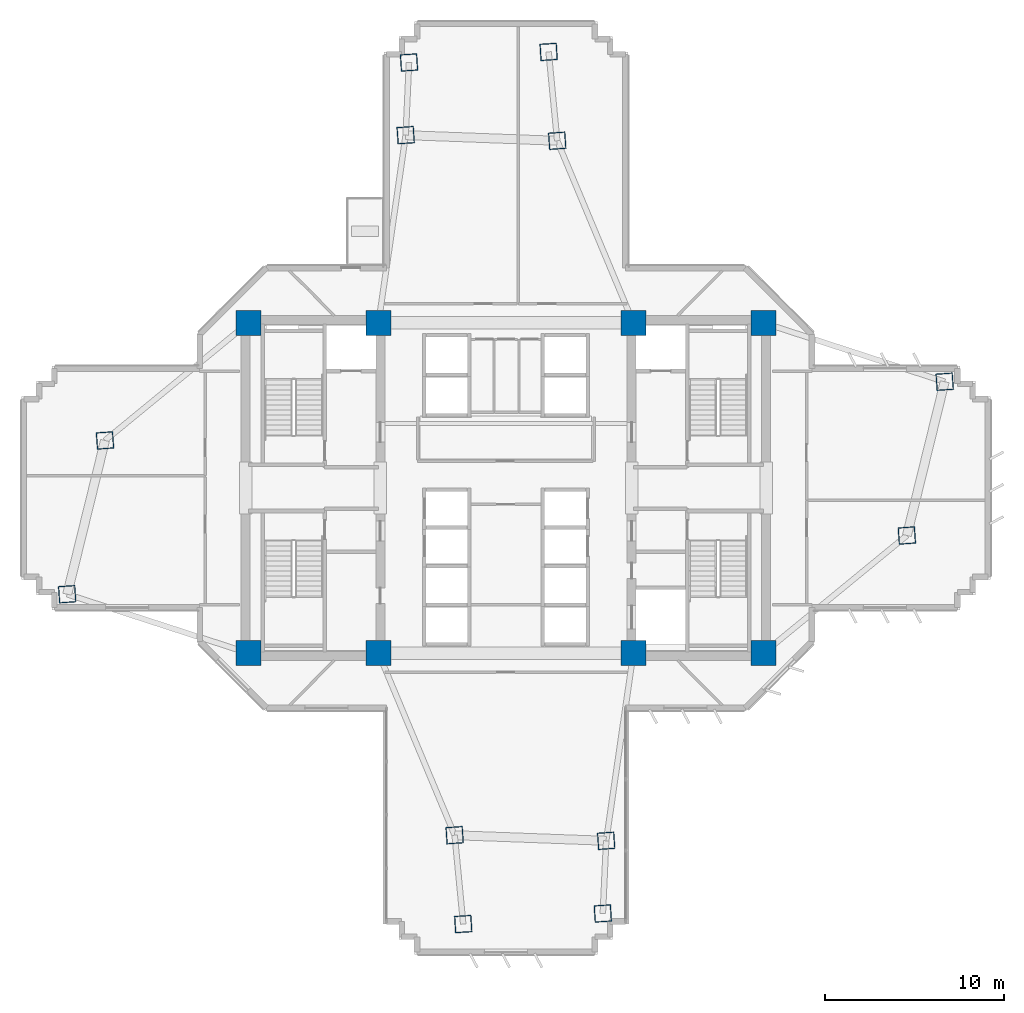
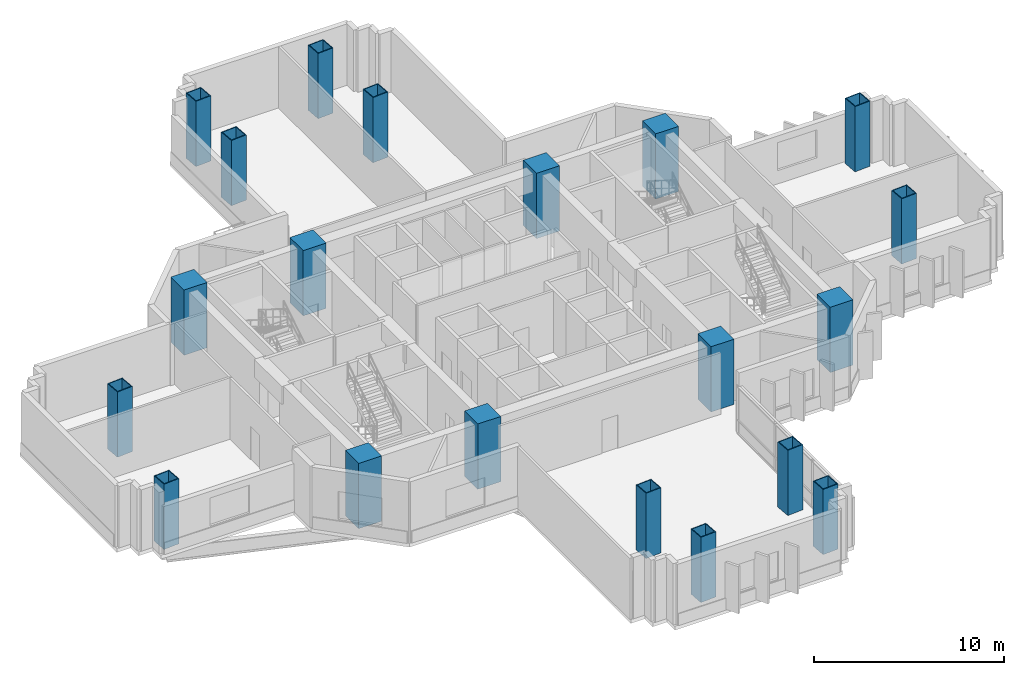
# One storey, part 1 of 14: 20 columns.
"""IFC4 building model written with IfcOpenShell, lengths in metres."""

from ifc_helpers import new_model, si_unit, direction, frame, origin, origin_2d, place, context, subcontext, project, spatial, rectangle, hollow_rectangle, extrude, source, transform, mapped, material, material_profile, profile_set, type_object, element, save


model = new_model("IFC4")

# Units and contexts
model_context = context("Model", 3, precision=1e-05, world=origin(), true_north=direction((0.0, 1.0)))
body_context = subcontext(model_context, "Body", "Model", "MODEL_VIEW")
ifc_project = project(units=[si_unit("LENGTHUNIT", "METRE"), si_unit("AREAUNIT", "SQUARE_METRE"), si_unit("VOLUMEUNIT", "CUBIC_METRE"), si_unit("PLANEANGLEUNIT", "RADIAN"), si_unit("MASSUNIT", "GRAM", prefix="KILO")], contexts=[model_context])

# Site, building, storey
site_placement = place(None, origin())
site = spatial("IfcSite", under=ifc_project, at=site_placement, CompositionType="ELEMENT")
building_placement = place(site_placement, origin())
building = spatial("IfcBuilding", under=site, at=building_placement, Name="Zahravan Cultural Tower", CompositionType="ELEMENT")
storey_placement = place(building_placement, frame((0.0, 0.0, 37.5)))
storey = spatial("IfcBuildingStorey", under=building, at=storey_placement, Name="L07", CompositionType="ELEMENT", Elevation=37.5)

# Columns
ifc_material_1 = material(Name="Concrete C60/75", Category="concrete")
ifc_material_profile_1 = material_profile(ifc_material_1, rectangle(XDim=1.39990234375, YDim=1.39990234375, at=origin_2d()), Name="RC1400X1400")
ifc_profile_set_1 = profile_set([ifc_material_profile_1], Name="Concrete C60/75")
column_type_1 = type_object("IfcColumnType", Name="COL-RC1400", PredefinedType="COLUMN", material=ifc_profile_set_1)
shared_shape_1 = source(origin(), body_context, "Body", "SweptSolid", [
    extrude(rectangle(XDim=1.39990234375, YDim=1.39990234375, at=origin_2d()), origin(), (0.0, 0.0, 1.0), 4.199951171875),
])
for number, where, z_axis, x_axis, name in (
    (1, (21.64990234375, 17.800048828125, 0.0), (0.0, 0.0, 1.0), (1.0, 0.0, 0.0), "L07 Column CC-W1"),
    (2, (28.89990234375, 17.800048828125, 0.0), (0.0, 0.0, 1.0), (1.0, 0.0, 0.0), "L07 Column CC-W2"),
    (3, (21.64990234375, 36.199951171875, 0.0), (0.0, 0.0, 1.0), (1.0, 0.0, 0.0), "L07 Column CC-W3"),
    (4, (28.89990234375, 36.199951171875, 0.0), (0.0, 0.0, 1.0), (1.0, 0.0, 0.0), "L07 Column CC-W4"),
    (5, (43.10009765625, 17.800048828125, 0.0), (0.0, 0.0, 1.0), (1.0, 0.0, 0.0), "L07 Column CC-E1"),
    (6, (50.35009765625, 17.800048828125, 0.0), (0.0, 0.0, 1.0), (1.0, 0.0, 0.0), "L07 Column CC-E2"),
    (7, (43.10009765625, 36.199951171875, 0.0), (0.0, 0.0, 1.0), (1.0, 0.0, 0.0), "L07 Column CC-E3"),
    (8, (50.35009765625, 36.199951171875, 0.0), (0.0, 0.0, 1.0), (1.0, 0.0, 0.0), "L07 Column CC-E4"),
):
    element("IfcColumn", number, at=place(storey_placement, frame(where, z_axis=z_axis, x_axis=x_axis)), inside=storey, type_object=column_type_1, Name=name, PredefinedType="COLUMN", context=body_context, shape_type="MappedRepresentation", body=[
        mapped(shared_shape_1, transform((0.0, 0.0, 0.0), x_axis=(1.0, 0.0, 0.0), y_axis=(0.0, 1.0, 0.0), z_axis=(0.0, 0.0, 1.0), scale=1.0)),
    ])
ifc_material_2 = material(Name="Steel ASTM A572 Grade 50", Category="steel")
ifc_material_profile_2 = material_profile(ifc_material_2, hollow_rectangle(XDim=0.949951171875, YDim=0.949951171875, WallThickness=0.050048828125, at=origin_2d()), Name="BOX950X950X50")
ifc_profile_set_2 = profile_set([ifc_material_profile_2], Name="Steel ASTM A572 Grade 50")
column_type_2 = type_object("IfcColumnType", Name="COL-BOX950", PredefinedType="COLUMN", material=ifc_profile_set_2)
shared_shape_2 = source(origin(), body_context, "Body", "SweptSolid", [
    extrude(hollow_rectangle(XDim=0.949951171875, YDim=0.949951171875, WallThickness=0.050048828125, at=origin_2d()), origin(), (0.0, 0.0, 1.0), 4.199951171875),
])
for number, where, z_axis, x_axis, name in (
    (9, (58.339111328125, 24.351806640625, 0.0), (0.0, 0.0, 1.0), (0.99756405026, 0.069756473744, 0.0), "L07 Column Z1C-E1"),
    (10, (60.446533203125, 32.919677734375, 0.0), (0.0, 0.0, 1.0), (0.99756405026, 0.069756473744, 0.0), "L07 Column Z1C-E2"),
    (11, (38.857421875, 46.346435546875, 0.0), (0.0, 0.0, 1.0), (-0.069756473744, 0.99756405026, 0.0), "L07 Column Z1C-N1"),
    (12, (30.4150390625, 46.658203125, 0.0), (0.0, 0.0, 1.0), (-0.069756473744, 0.99756405026, 0.0), "L07 Column Z1C-N2"),
    (13, (13.660888671875, 29.648193359375, 0.0), (0.0, 0.0, 1.0), (0.99756405026, 0.069756473744, 0.0), "L07 Column Z1C-W1"),
    (14, (11.553466796875, 21.080322265625, 0.0), (0.0, 0.0, 1.0), (0.99756405026, 0.069756473744, 0.0), "L07 Column Z1C-W2"),
    (15, (33.142578125, 7.653564453125, 0.0), (0.0, 0.0, 1.0), (-0.069756473744, 0.99756405026, 0.0), "L07 Column Z1C-S1"),
    (16, (41.5849609375, 7.341796875, 0.0), (0.0, 0.0, 1.0), (-0.069756473744, 0.99756405026, 0.0), "L07 Column Z1C-S2"),
    (17, (38.379150390625, 51.29736328125, 0.0), (0.0, 0.0, 1.0), (-0.062790519529, 0.998026728428, 0.0), "L07 Column Z1T-N1"),
    (18, (30.6005859375, 50.707763671875, 0.0), (0.0, 0.0, 1.0), (-0.062790519529, 0.998026728428, 0.0), "L07 Column Z1T-N2"),
    (19, (33.620849609375, 2.70263671875, 0.0), (0.0, 0.0, 1.0), (-0.062790519529, 0.998026728428, 0.0), "L07 Column Z1T-S1"),
    (20, (41.3994140625, 3.292236328125, 0.0), (0.0, 0.0, 1.0), (-0.062790519529, 0.998026728428, 0.0), "L07 Column Z1T-S2"),
):
    element("IfcColumn", number, at=place(storey_placement, frame(where, z_axis=z_axis, x_axis=x_axis)), inside=storey, type_object=column_type_2, Name=name, PredefinedType="COLUMN", context=body_context, shape_type="MappedRepresentation", body=[
        mapped(shared_shape_2, transform((0.0, 0.0, 0.0), x_axis=(1.0, 0.0, 0.0), y_axis=(0.0, 1.0, 0.0), z_axis=(0.0, 0.0, 1.0), scale=1.0)),
    ])

save(model, "model.ifc")
